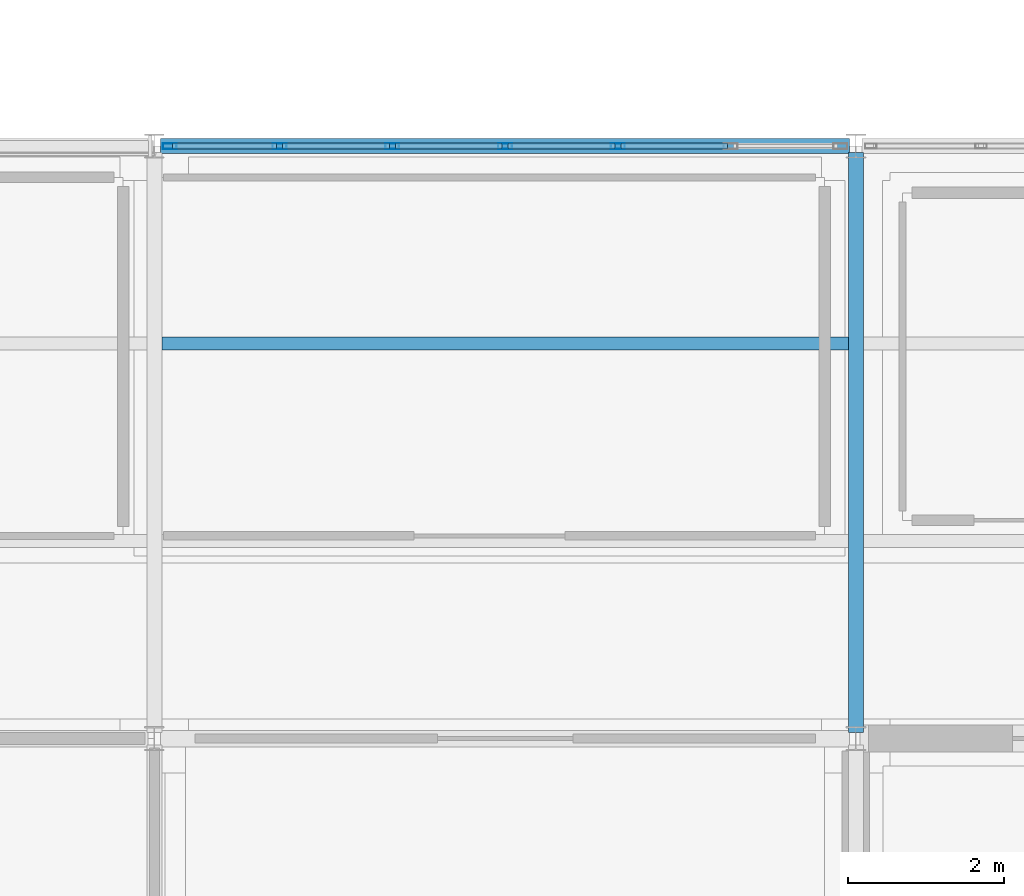
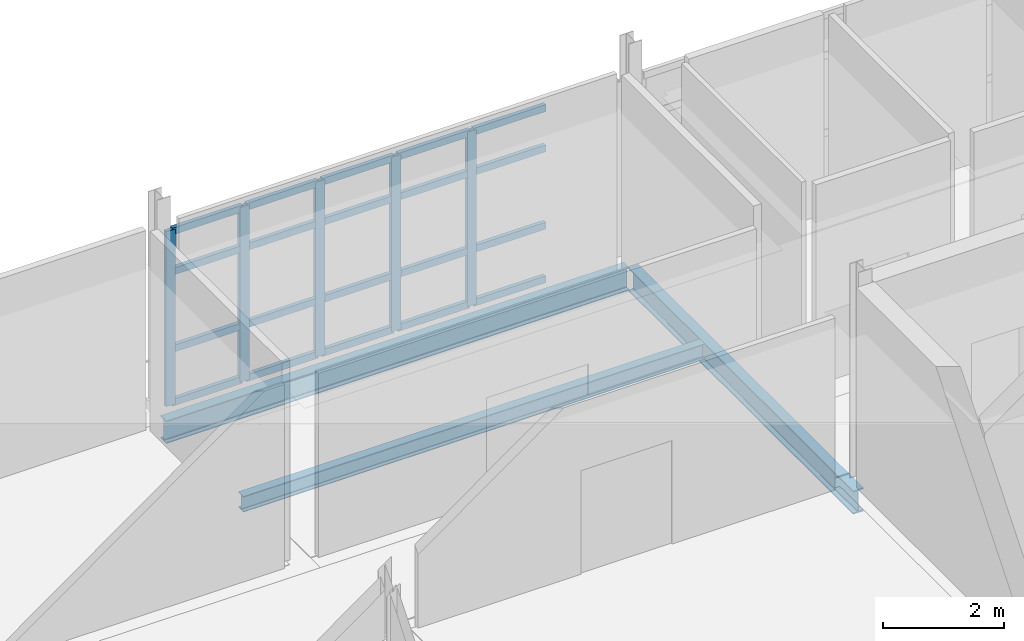
# One storey, part 8 of 24: 25 members, 3 beams, 1 element without a shape of its own.
"""IFC4 building model written with IfcOpenShell, lengths in metres."""

from ifc_helpers import new_model, si_unit, direction, frame, origin, origin_2d, place, context, subcontext, project, spatial, hollow_rectangle, i_section, extrude, material, material_profile, profile_set, type_object, element, aggregate, save


model = new_model("IFC4")

# Units and contexts
model_context = context("Model", 3, precision=1e-05, world=origin(), true_north=direction((0.0, 1.0)))
body_context = subcontext(model_context, "Body", "Model", "MODEL_VIEW")
ifc_project = project(units=[si_unit("LENGTHUNIT", "METRE"), si_unit("AREAUNIT", "SQUARE_METRE"), si_unit("VOLUMEUNIT", "CUBIC_METRE"), si_unit("PLANEANGLEUNIT", "RADIAN"), si_unit("MASSUNIT", "GRAM", prefix="KILO")], contexts=[model_context])

# Site, building, storey
site_placement = place(None, origin())
site = spatial("IfcSite", under=ifc_project, at=site_placement, CompositionType="ELEMENT")
building_placement = place(site_placement, origin())
building = spatial("IfcBuilding", under=site, at=building_placement, Name="Caisbarro Railhouse Central Library", CompositionType="ELEMENT")
storey_placement = place(building_placement, frame((0.0, 0.0, 22.320068359375)))
storey = spatial("IfcBuildingStorey", under=building, at=storey_placement, Name="L05", CompositionType="ELEMENT", Elevation=22.320068359375)

# Beams
ifc_material_1 = material(Name="Steel ASTM A572 Grade 50", Category="steel")
ifc_material_profile_1 = material_profile(ifc_material_1, i_section(OverallWidth=0.194091796875, OverallDepth=0.468994140625, WebThickness=0.0126953125, FlangeThickness=0.0205078125, FilletRadius=0.01806640625, at=origin_2d()), Name="W460X106.0")
ifc_profile_set_1 = profile_set([ifc_material_profile_1], Name="Steel ASTM A572 Grade 50")
beam_type_1 = type_object("IfcBeamType", Name="BM-G07", PredefinedType="BEAM", material=ifc_profile_set_1)
beam_1_placement = place(storey_placement, frame((90.0, 15.280029296875, -0.474609375), z_axis=(0.0, 1.0, 0.0), x_axis=(-1.0, 0.0, 0.0)))
element("IfcBeam", 1, at=beam_1_placement, inside=storey, type_object=beam_type_1, Name="G07 beam L05 #2201", PredefinedType="BEAM", context=body_context, shape_type="SweptSolid", body=[
    extrude(i_section(OverallWidth=0.194091796875, OverallDepth=0.468994140625, WebThickness=0.0126953125, FlangeThickness=0.0205078125, FilletRadius=0.01806640625, at=origin_2d()), origin(), (0.0, 0.0, 1.0), 7.43994140625),
])
ifc_material_profile_2 = material_profile(ifc_material_1, i_section(OverallWidth=0.1669921875, OverallDepth=0.31689453125, WebThickness=0.007568359375, FlangeThickness=0.01318359375, FilletRadius=0.011962890625, at=origin_2d()), Name="W310X52.0")
ifc_profile_set_2 = profile_set([ifc_material_profile_2], Name="Steel ASTM A572 Grade 50")
beam_type_2 = type_object("IfcBeamType", Name="BM-J02", PredefinedType="JOIST", material=ifc_profile_set_2)
beam_2_placement = place(storey_placement, frame((81.096923828125, 20.2666015625, -0.398681640625), z_axis=(1.0, 0.0, 0.0), x_axis=(0.0, 1.0, 0.0)))
element("IfcBeam", 2, at=beam_2_placement, inside=storey, type_object=beam_type_2, Name="J02 beam L05 #2218", PredefinedType="JOIST", context=body_context, shape_type="SweptSolid", body=[
    extrude(i_section(OverallWidth=0.1669921875, OverallDepth=0.31689453125, WebThickness=0.007568359375, FlangeThickness=0.01318359375, FilletRadius=0.011962890625, at=origin_2d()), origin(), (0.0, 0.0, 1.0), 8.80615234375),
])
ifc_material_profile_3 = material_profile(ifc_material_1, i_section(OverallWidth=0.18994140625, OverallDepth=0.45703125, WebThickness=0.009033203125, FlangeThickness=0.014404296875, FilletRadius=0.01806640625, at=origin_2d()), Name="W460X74.0")
ifc_profile_set_3 = profile_set([ifc_material_profile_3], Name="Steel ASTM A572 Grade 50")
beam_type_3 = type_object("IfcBeamType", Name="BM-SP01", PredefinedType="SPANDREL", material=ifc_profile_set_3)
beam_3_placement = place(storey_placement, frame((81.080078125, 22.800048828125, -0.468505859375), z_axis=(1.0, 0.0, 0.0), x_axis=(0.0, 1.0, 0.0)))
element("IfcBeam", 3, at=beam_3_placement, inside=storey, type_object=beam_type_3, Name="SP01 beam L05 #2188", PredefinedType="SPANDREL", context=body_context, shape_type="SweptSolid", body=[
    extrude(i_section(OverallWidth=0.18994140625, OverallDepth=0.45703125, WebThickness=0.009033203125, FlangeThickness=0.014404296875, FilletRadius=0.01806640625, at=origin_2d()), origin(), (0.0, 0.0, 1.0), 8.83984375),
])

# Curtain wall, members
ifc_material_2 = material(Name="Anodised architectural aluminium", Category="aluminium")
curtain_wall_type = type_object("IfcCurtainWallType", Name="CW-CW02", PredefinedType="NOTDEFINED", material=ifc_material_2)
curtain_wall_placement = place(storey_placement, origin())
curtain_wall = element("IfcCurtainWall", 4, at=curtain_wall_placement, inside=storey, type_object=curtain_wall_type, Name="CW02 curtain wall L05 #72", PredefinedType="NOTDEFINED")
ifc_material_profile_4 = material_profile(ifc_material_2, hollow_rectangle(XDim=0.074951171875, YDim=0.179931640625, WallThickness=0.00439453125, at=origin_2d()), Name="ALU-MUL-75X180")
ifc_profile_set_4 = profile_set([ifc_material_profile_4], Name="Anodised architectural aluminium")
member_type_1 = type_object("IfcMemberType", Name="CWM-M01", PredefinedType="MULLION", material=ifc_profile_set_4)
member_1_placement = place(storey_placement, frame((81.197509765625, 22.800048828125, 0.0), z_axis=(0.0, 0.0, 1.0), x_axis=(0.0, 1.0, 0.0)))
member_1 = element("IfcMember", 5, at=member_1_placement, type_object=member_type_1, Name="CW02 mullion 1", PredefinedType="MULLION", context=body_context, shape_type="SweptSolid", body=[
    extrude(hollow_rectangle(XDim=0.074951171875, YDim=0.179931640625, WallThickness=0.00439453125, at=origin_2d()), origin(), (0.0, 0.0, 1.0), 3.530029296875),
])
member_2_placement = place(storey_placement, frame((82.606689453125, 22.800048828125, 0.0), z_axis=(0.0, 0.0, 1.0), x_axis=(0.0, 1.0, 0.0)))
member_2 = element("IfcMember", 6, at=member_2_placement, type_object=member_type_1, Name="CW02 mullion 2", PredefinedType="MULLION", context=body_context, shape_type="SweptSolid", body=[
    extrude(hollow_rectangle(XDim=0.074951171875, YDim=0.179931640625, WallThickness=0.00439453125, at=origin_2d()), origin(), (0.0, 0.0, 1.0), 3.530029296875),
])
member_3_placement = place(storey_placement, frame((84.05322265625, 22.800048828125, 0.0), z_axis=(0.0, 0.0, 1.0), x_axis=(0.0, 1.0, 0.0)))
member_3 = element("IfcMember", 7, at=member_3_placement, type_object=member_type_1, Name="CW02 mullion 3", PredefinedType="MULLION", context=body_context, shape_type="SweptSolid", body=[
    extrude(hollow_rectangle(XDim=0.074951171875, YDim=0.179931640625, WallThickness=0.00439453125, at=origin_2d()), origin(), (0.0, 0.0, 1.0), 3.530029296875),
])
member_4_placement = place(storey_placement, frame((85.5, 22.800048828125, 0.0), z_axis=(0.0, 0.0, 1.0), x_axis=(0.0, 1.0, 0.0)))
member_4 = element("IfcMember", 8, at=member_4_placement, type_object=member_type_1, Name="CW02 mullion 4", PredefinedType="MULLION", context=body_context, shape_type="SweptSolid", body=[
    extrude(hollow_rectangle(XDim=0.074951171875, YDim=0.179931640625, WallThickness=0.00439453125, at=origin_2d()), origin(), (0.0, 0.0, 1.0), 3.530029296875),
])
member_5_placement = place(storey_placement, frame((86.94677734375, 22.800048828125, 0.0), z_axis=(0.0, 0.0, 1.0), x_axis=(0.0, 1.0, 0.0)))
member_5 = element("IfcMember", 9, at=member_5_placement, type_object=member_type_1, Name="CW02 mullion 5", PredefinedType="MULLION", context=body_context, shape_type="SweptSolid", body=[
    extrude(hollow_rectangle(XDim=0.074951171875, YDim=0.179931640625, WallThickness=0.00439453125, at=origin_2d()), origin(), (0.0, 0.0, 1.0), 3.530029296875),
])
ifc_material_profile_5 = material_profile(ifc_material_2, hollow_rectangle(XDim=0.074951171875, YDim=0.139892578125, WallThickness=0.00390625, at=origin_2d()), Name="ALU-TRN-75X140")
ifc_profile_set_5 = profile_set([ifc_material_profile_5], Name="Anodised architectural aluminium")
member_type_2 = type_object("IfcMemberType", Name="CWT-T01", PredefinedType="USERDEFINED", material=ifc_profile_set_5)
member_6_placement = place(storey_placement, frame((81.235107421875, 22.800048828125, 0.037353515625), z_axis=(1.0, 0.0, 0.0), x_axis=(0.0, 1.0, 0.0)))
member_6 = element("IfcMember", 10, at=member_6_placement, type_object=member_type_2, Name="CW02 transom 1.1", ObjectType="TRANSOM", PredefinedType="USERDEFINED", context=body_context, shape_type="SweptSolid", body=[
    extrude(hollow_rectangle(XDim=0.074951171875, YDim=0.139892578125, WallThickness=0.00390625, at=origin_2d()), origin(), (0.0, 0.0, 1.0), 1.333984375),
])
member_7_placement = place(storey_placement, frame((81.235107421875, 22.800048828125, 1.119873046875), z_axis=(1.0, 0.0, 0.0), x_axis=(0.0, 1.0, 0.0)))
member_7 = element("IfcMember", 11, at=member_7_placement, type_object=member_type_2, Name="CW02 transom 1.2", ObjectType="TRANSOM", PredefinedType="USERDEFINED", context=body_context, shape_type="SweptSolid", body=[
    extrude(hollow_rectangle(XDim=0.074951171875, YDim=0.139892578125, WallThickness=0.00390625, at=origin_2d()), origin(), (0.0, 0.0, 1.0), 1.333984375),
])
member_8_placement = place(storey_placement, frame((81.235107421875, 22.800048828125, 2.679931640625), z_axis=(1.0, 0.0, 0.0), x_axis=(0.0, 1.0, 0.0)))
member_8 = element("IfcMember", 12, at=member_8_placement, type_object=member_type_2, Name="CW02 transom 1.3", ObjectType="TRANSOM", PredefinedType="USERDEFINED", context=body_context, shape_type="SweptSolid", body=[
    extrude(hollow_rectangle(XDim=0.074951171875, YDim=0.139892578125, WallThickness=0.00390625, at=origin_2d()), origin(), (0.0, 0.0, 1.0), 1.333984375),
])
member_9_placement = place(storey_placement, frame((81.235107421875, 22.800048828125, 3.492431640625), z_axis=(1.0, 0.0, 0.0), x_axis=(0.0, 1.0, 0.0)))
member_9 = element("IfcMember", 13, at=member_9_placement, type_object=member_type_2, Name="CW02 transom 1.4", ObjectType="TRANSOM", PredefinedType="USERDEFINED", context=body_context, shape_type="SweptSolid", body=[
    extrude(hollow_rectangle(XDim=0.074951171875, YDim=0.139892578125, WallThickness=0.00390625, at=origin_2d()), origin(), (0.0, 0.0, 1.0), 1.333984375),
])
member_10_placement = place(storey_placement, frame((82.644287109375, 22.800048828125, 0.037353515625), z_axis=(1.0, 0.0, 0.0), x_axis=(0.0, 1.0, 0.0)))
member_10 = element("IfcMember", 14, at=member_10_placement, type_object=member_type_2, Name="CW02 transom 2.1", ObjectType="TRANSOM", PredefinedType="USERDEFINED", context=body_context, shape_type="SweptSolid", body=[
    extrude(hollow_rectangle(XDim=0.074951171875, YDim=0.139892578125, WallThickness=0.00390625, at=origin_2d()), origin(), (0.0, 0.0, 1.0), 1.37158203125),
])
member_11_placement = place(storey_placement, frame((82.644287109375, 22.800048828125, 1.119873046875), z_axis=(1.0, 0.0, 0.0), x_axis=(0.0, 1.0, 0.0)))
member_11 = element("IfcMember", 15, at=member_11_placement, type_object=member_type_2, Name="CW02 transom 2.2", ObjectType="TRANSOM", PredefinedType="USERDEFINED", context=body_context, shape_type="SweptSolid", body=[
    extrude(hollow_rectangle(XDim=0.074951171875, YDim=0.139892578125, WallThickness=0.00390625, at=origin_2d()), origin(), (0.0, 0.0, 1.0), 1.37158203125),
])
member_12_placement = place(storey_placement, frame((82.644287109375, 22.800048828125, 2.679931640625), z_axis=(1.0, 0.0, 0.0), x_axis=(0.0, 1.0, 0.0)))
member_12 = element("IfcMember", 16, at=member_12_placement, type_object=member_type_2, Name="CW02 transom 2.3", ObjectType="TRANSOM", PredefinedType="USERDEFINED", context=body_context, shape_type="SweptSolid", body=[
    extrude(hollow_rectangle(XDim=0.074951171875, YDim=0.139892578125, WallThickness=0.00390625, at=origin_2d()), origin(), (0.0, 0.0, 1.0), 1.37158203125),
])
member_13_placement = place(storey_placement, frame((82.644287109375, 22.800048828125, 3.492431640625), z_axis=(1.0, 0.0, 0.0), x_axis=(0.0, 1.0, 0.0)))
member_13 = element("IfcMember", 17, at=member_13_placement, type_object=member_type_2, Name="CW02 transom 2.4", ObjectType="TRANSOM", PredefinedType="USERDEFINED", context=body_context, shape_type="SweptSolid", body=[
    extrude(hollow_rectangle(XDim=0.074951171875, YDim=0.139892578125, WallThickness=0.00390625, at=origin_2d()), origin(), (0.0, 0.0, 1.0), 1.37158203125),
])
member_14_placement = place(storey_placement, frame((84.0908203125, 22.800048828125, 0.037353515625), z_axis=(1.0, 0.0, 0.0), x_axis=(0.0, 1.0, 0.0)))
member_14 = element("IfcMember", 18, at=member_14_placement, type_object=member_type_2, Name="CW02 transom 3.1", ObjectType="TRANSOM", PredefinedType="USERDEFINED", context=body_context, shape_type="SweptSolid", body=[
    extrude(hollow_rectangle(XDim=0.074951171875, YDim=0.139892578125, WallThickness=0.00390625, at=origin_2d()), origin(), (0.0, 0.0, 1.0), 1.37158203125),
])
member_15_placement = place(storey_placement, frame((84.0908203125, 22.800048828125, 1.119873046875), z_axis=(1.0, 0.0, 0.0), x_axis=(0.0, 1.0, 0.0)))
member_15 = element("IfcMember", 19, at=member_15_placement, type_object=member_type_2, Name="CW02 transom 3.2", ObjectType="TRANSOM", PredefinedType="USERDEFINED", context=body_context, shape_type="SweptSolid", body=[
    extrude(hollow_rectangle(XDim=0.074951171875, YDim=0.139892578125, WallThickness=0.00390625, at=origin_2d()), origin(), (0.0, 0.0, 1.0), 1.37158203125),
])
member_16_placement = place(storey_placement, frame((84.0908203125, 22.800048828125, 2.679931640625), z_axis=(1.0, 0.0, 0.0), x_axis=(0.0, 1.0, 0.0)))
member_16 = element("IfcMember", 20, at=member_16_placement, type_object=member_type_2, Name="CW02 transom 3.3", ObjectType="TRANSOM", PredefinedType="USERDEFINED", context=body_context, shape_type="SweptSolid", body=[
    extrude(hollow_rectangle(XDim=0.074951171875, YDim=0.139892578125, WallThickness=0.00390625, at=origin_2d()), origin(), (0.0, 0.0, 1.0), 1.37158203125),
])
member_17_placement = place(storey_placement, frame((84.0908203125, 22.800048828125, 3.492431640625), z_axis=(1.0, 0.0, 0.0), x_axis=(0.0, 1.0, 0.0)))
member_17 = element("IfcMember", 21, at=member_17_placement, type_object=member_type_2, Name="CW02 transom 3.4", ObjectType="TRANSOM", PredefinedType="USERDEFINED", context=body_context, shape_type="SweptSolid", body=[
    extrude(hollow_rectangle(XDim=0.074951171875, YDim=0.139892578125, WallThickness=0.00390625, at=origin_2d()), origin(), (0.0, 0.0, 1.0), 1.37158203125),
])
member_18_placement = place(storey_placement, frame((85.53759765625, 22.800048828125, 0.037353515625), z_axis=(1.0, 0.0, 0.0), x_axis=(0.0, 1.0, 0.0)))
member_18 = element("IfcMember", 22, at=member_18_placement, type_object=member_type_2, Name="CW02 transom 4.1", ObjectType="TRANSOM", PredefinedType="USERDEFINED", context=body_context, shape_type="SweptSolid", body=[
    extrude(hollow_rectangle(XDim=0.074951171875, YDim=0.139892578125, WallThickness=0.00390625, at=origin_2d()), origin(), (0.0, 0.0, 1.0), 1.37158203125),
])
member_19_placement = place(storey_placement, frame((85.53759765625, 22.800048828125, 1.119873046875), z_axis=(1.0, 0.0, 0.0), x_axis=(0.0, 1.0, 0.0)))
member_19 = element("IfcMember", 23, at=member_19_placement, type_object=member_type_2, Name="CW02 transom 4.2", ObjectType="TRANSOM", PredefinedType="USERDEFINED", context=body_context, shape_type="SweptSolid", body=[
    extrude(hollow_rectangle(XDim=0.074951171875, YDim=0.139892578125, WallThickness=0.00390625, at=origin_2d()), origin(), (0.0, 0.0, 1.0), 1.37158203125),
])
member_20_placement = place(storey_placement, frame((85.53759765625, 22.800048828125, 2.679931640625), z_axis=(1.0, 0.0, 0.0), x_axis=(0.0, 1.0, 0.0)))
member_20 = element("IfcMember", 24, at=member_20_placement, type_object=member_type_2, Name="CW02 transom 4.3", ObjectType="TRANSOM", PredefinedType="USERDEFINED", context=body_context, shape_type="SweptSolid", body=[
    extrude(hollow_rectangle(XDim=0.074951171875, YDim=0.139892578125, WallThickness=0.00390625, at=origin_2d()), origin(), (0.0, 0.0, 1.0), 1.37158203125),
])
member_21_placement = place(storey_placement, frame((85.53759765625, 22.800048828125, 3.492431640625), z_axis=(1.0, 0.0, 0.0), x_axis=(0.0, 1.0, 0.0)))
member_21 = element("IfcMember", 25, at=member_21_placement, type_object=member_type_2, Name="CW02 transom 4.4", ObjectType="TRANSOM", PredefinedType="USERDEFINED", context=body_context, shape_type="SweptSolid", body=[
    extrude(hollow_rectangle(XDim=0.074951171875, YDim=0.139892578125, WallThickness=0.00390625, at=origin_2d()), origin(), (0.0, 0.0, 1.0), 1.37158203125),
])
member_22_placement = place(storey_placement, frame((86.984130859375, 22.800048828125, 0.037353515625), z_axis=(1.0, 0.0, 0.0), x_axis=(0.0, 1.0, 0.0)))
member_22 = element("IfcMember", 26, at=member_22_placement, type_object=member_type_2, Name="CW02 transom 5.1", ObjectType="TRANSOM", PredefinedType="USERDEFINED", context=body_context, shape_type="SweptSolid", body=[
    extrude(hollow_rectangle(XDim=0.074951171875, YDim=0.139892578125, WallThickness=0.00390625, at=origin_2d()), origin(), (0.0, 0.0, 1.0), 1.37158203125),
])
member_23_placement = place(storey_placement, frame((86.984130859375, 22.800048828125, 1.119873046875), z_axis=(1.0, 0.0, 0.0), x_axis=(0.0, 1.0, 0.0)))
member_23 = element("IfcMember", 27, at=member_23_placement, type_object=member_type_2, Name="CW02 transom 5.2", ObjectType="TRANSOM", PredefinedType="USERDEFINED", context=body_context, shape_type="SweptSolid", body=[
    extrude(hollow_rectangle(XDim=0.074951171875, YDim=0.139892578125, WallThickness=0.00390625, at=origin_2d()), origin(), (0.0, 0.0, 1.0), 1.37158203125),
])
member_24_placement = place(storey_placement, frame((86.984130859375, 22.800048828125, 2.679931640625), z_axis=(1.0, 0.0, 0.0), x_axis=(0.0, 1.0, 0.0)))
member_24 = element("IfcMember", 28, at=member_24_placement, type_object=member_type_2, Name="CW02 transom 5.3", ObjectType="TRANSOM", PredefinedType="USERDEFINED", context=body_context, shape_type="SweptSolid", body=[
    extrude(hollow_rectangle(XDim=0.074951171875, YDim=0.139892578125, WallThickness=0.00390625, at=origin_2d()), origin(), (0.0, 0.0, 1.0), 1.37158203125),
])
member_25_placement = place(storey_placement, frame((86.984130859375, 22.800048828125, 3.492431640625), z_axis=(1.0, 0.0, 0.0), x_axis=(0.0, 1.0, 0.0)))
member_25 = element("IfcMember", 29, at=member_25_placement, type_object=member_type_2, Name="CW02 transom 5.4", ObjectType="TRANSOM", PredefinedType="USERDEFINED", context=body_context, shape_type="SweptSolid", body=[
    extrude(hollow_rectangle(XDim=0.074951171875, YDim=0.139892578125, WallThickness=0.00390625, at=origin_2d()), origin(), (0.0, 0.0, 1.0), 1.37158203125),
])
aggregate(curtain_wall, [member_1, member_2, member_3, member_4, member_5, member_6, member_7, member_8, member_9, member_10, member_11, member_12, member_13, member_14, member_15, member_16, member_17, member_18, member_19, member_20, member_21, member_22, member_23, member_24, member_25])

save(model, "model.ifc")
